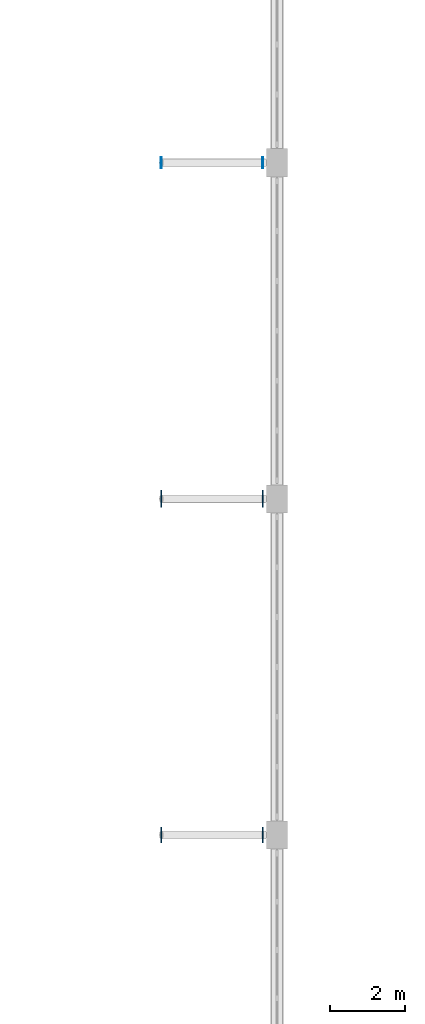
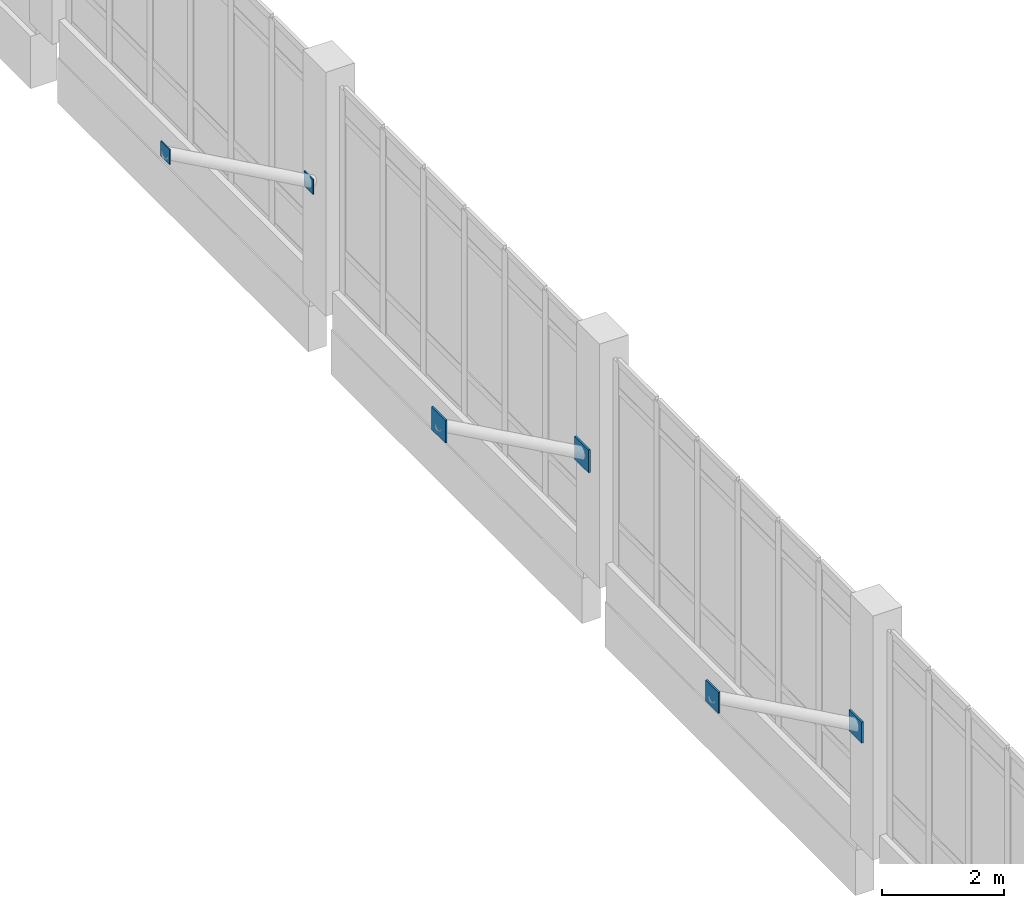
# One storey, part 73 of 110: 6 plates.
"""IFC4 building model written with IfcOpenShell, lengths in metres."""

import ifcopenshell
import ifcopenshell.guid

model = None  # the IFC model being written
_history = None  # IfcOwnerHistory: only IFC2X3 demands one
_inside = {}  # id of a spatial element -> (the spatial element, [elements in it])
_under = {}  # id of a project, library or spatial element -> (it, [spatial elements below it])
_declared = {}  # id of a project -> (the project, [libraries it declares])
_typed = {}  # id of a type object -> (the type object, [elements of that type])
_made_of = {}  # id of a material, layer set ... -> (it, [elements and type objects made of it])


def new_model(schema):
    """Start an empty IFC model of exactly this schema.

    Asked for "IFC4X3", IfcOpenShell would pick the latest addendum, in which some entities
    have other attributes; the version numbers below select the first issue.
    IFC2X3 requires an IfcOwnerHistory on every rooted entity: one is made here for all.
    """
    global model, _history
    if schema == "IFC4X3":
        model = ifcopenshell.file(schema_version=(4, 3, 0, 0))
    else:
        model = ifcopenshell.file(schema=schema)
    _inside.clear()
    _under.clear()
    _declared.clear()
    _typed.clear()
    _made_of.clear()
    _history = None
    if model.schema == "IFC2X3":
        org = make("IfcOrganization", Name="unknown")
        user = make(
            "IfcPersonAndOrganization",
            ThePerson=make("IfcPerson", FamilyName="unknown"),
            TheOrganization=org,
        )
        app = make(
            "IfcApplication",
            ApplicationDeveloper=org,
            Version="unknown",
            ApplicationFullName="unknown",
            ApplicationIdentifier="unknown",
        )
        _history = make(
            "IfcOwnerHistory",
            OwningUser=user,
            OwningApplication=app,
            ChangeAction="ADDED",
            CreationDate=0,
        )
    return model


def make(cls, **values):
    """One entity of the class cls with the attributes given. An attribute that is None is left unset."""
    return model.create_entity(
        cls, **{name: value for name, value in values.items() if value is not None}
    )


def rooted(cls, **values):
    """An entity with a GlobalId (a new one), such as an element, a storey or a relation."""
    return make(cls, GlobalId=ifcopenshell.guid.new(), OwnerHistory=_history, **values)


def si_unit(unit_type, name, prefix=None):
    """IfcSIUnit, for example si_unit("LENGTHUNIT", "METRE", prefix="MILLI")."""
    return make("IfcSIUnit", UnitType=unit_type, Prefix=prefix, Name=name)


def assignment(units):
    """IfcUnitAssignment: the units of a project."""
    return None if units is None else make("IfcUnitAssignment", Units=units)


def point(xyz):
    """IfcCartesianPoint."""
    return None if xyz is None else make("IfcCartesianPoint", Coordinates=xyz)


def direction(xyz):
    """IfcDirection."""
    return None if xyz is None else make("IfcDirection", DirectionRatios=xyz)


def frame(location, z_axis=None, x_axis=None):
    """IfcAxis2Placement3D, a coordinate frame: its origin and axes. An axis left out is left unset."""
    return make(
        "IfcAxis2Placement3D",
        Location=point(location),
        Axis=direction(z_axis),
        RefDirection=direction(x_axis),
    )


def frame_2d(location, x_axis=None):
    """IfcAxis2Placement2D, a coordinate frame in the plane: its origin and x axis."""
    return make(
        "IfcAxis2Placement2D", Location=point(location), RefDirection=direction(x_axis)
    )


def origin():
    """The frame at (0, 0, 0) with its axes left unset."""
    return frame((0.0, 0.0, 0.0))


def origin_2d():
    """The frame at (0, 0) in the plane with its x axis left unset."""
    return frame_2d((0.0, 0.0))


def place(relative_to, where):
    """IfcLocalPlacement: puts the frame where relative to a parent placement (None: the world)."""
    return make(
        "IfcLocalPlacement", PlacementRelTo=relative_to, RelativePlacement=where
    )


def context(
    kind, dimensions, precision=None, world=None, true_north=None, identifier=None
):
    """IfcGeometricRepresentationContext, for example the 3D "Model" context."""
    return make(
        "IfcGeometricRepresentationContext",
        ContextIdentifier=identifier,
        ContextType=kind,
        CoordinateSpaceDimension=dimensions,
        Precision=precision,
        WorldCoordinateSystem=world,
        TrueNorth=true_north,
    )


def subcontext(parent, identifier, kind, view, scale=None):
    """IfcGeometricRepresentationSubContext, for example "Body" below "Model"."""
    return make(
        "IfcGeometricRepresentationSubContext",
        ContextIdentifier=identifier,
        ContextType=kind,
        ParentContext=parent,
        TargetScale=scale,
        TargetView=view,
    )


def project(units=None, contexts=None):
    """IfcProject with its units and contexts."""
    return rooted(
        "IfcProject",
        Name="project",
        RepresentationContexts=contexts,
        UnitsInContext=assignment(units),
    )


def spatial(cls, under=None, at=None, **own):
    """A site, building, storey or space (cls), placed at a placement, below another one or the project."""
    s = rooted(cls, ObjectPlacement=at, **own)
    if under is not None:
        _under.setdefault(under.id(), (under, []))[1].append(s)
    return s


def profile(cls, at=None, kind="AREA", **sizes):
    """A parametric profile (cls). Its sizes go by their IFC names, for example OverallWidth=200.0."""
    return make(cls, ProfileType=kind, Position=at, **sizes)


def rectangle(**sizes):
    """IfcRectangleProfileDef."""
    return profile("IfcRectangleProfileDef", **sizes)


def extrude(swept, where, along, depth):
    """IfcExtrudedAreaSolid: the profile swept, set in the frame where, extruded along a direction by depth."""
    return make(
        "IfcExtrudedAreaSolid",
        SweptArea=swept,
        Position=where,
        ExtrudedDirection=direction(along),
        Depth=depth,
    )


def shape(context_of_items, identifier, shape_type, items):
    """IfcShapeRepresentation: the items that make up one representation, for example the "Body"."""
    return make(
        "IfcShapeRepresentation",
        ContextOfItems=context_of_items,
        RepresentationIdentifier=identifier,
        RepresentationType=shape_type,
        Items=items,
    )


def material(Name=None, Category=None):
    """IfcMaterial."""
    return make("IfcMaterial", Name=Name, Category=Category)


def layer(
    of_material, thickness, ventilated=None, Name=None, Category=None, Priority=None
):
    """IfcMaterialLayer: one layer of a wall or slab, of a material (None: an air gap)."""
    return make(
        "IfcMaterialLayer",
        Material=of_material,
        LayerThickness=thickness,
        IsVentilated=ventilated,
        Name=Name,
        Category=Category,
        Priority=Priority,
    )


def layer_set(layers, Name=None):
    """IfcMaterialLayerSet."""
    return make("IfcMaterialLayerSet", MaterialLayers=layers, LayerSetName=Name)


def made_of(thing, what):
    """Note that an element or type object is made of a material, layer set ...; save() writes the relation."""
    if what is not None:
        _made_of.setdefault(what.id(), (what, []))[1].append(thing)
    return thing


def type_object(cls, material=None, **own):
    """A type object (cls), such as IfcWallType, which elements share."""
    return made_of(rooted(cls, **own), material)


def element(
    cls,
    number,
    at=None,
    inside=None,
    cuts=None,
    type_object=None,
    material=None,
    context=None,
    identifier="Body",
    shape_type=None,
    held_by="IfcProductDefinitionShape",
    body=None,
    shapes=None,
    **own,
):
    """One element of the class cls, such as IfcWall. Its Tag is "e" and its number.

    at: its placement. inside: the storey or other place that contains it. cuts: it is an
    opening in that element (IfcRelVoidsElement). A single representation is given by context,
    identifier, shape_type and body (its items); several are given by shapes. held_by: the class
    of the entity that holds the representations. save() writes the other relations.
    """
    e = rooted(cls, Tag="e%d" % number, ObjectPlacement=at, **own)
    if body is not None:
        shapes = [shape(context, identifier, shape_type, body)]
    if shapes is not None:
        e.Representation = make(held_by, Representations=shapes)
    if inside is not None:
        _inside.setdefault(inside.id(), (inside, []))[1].append(e)
    if cuts is not None:
        rooted(
            "IfcRelVoidsElement", RelatingBuildingElement=cuts, RelatedOpeningElement=e
        )
    if type_object is not None:
        _typed.setdefault(type_object.id(), (type_object, []))[1].append(e)
    return made_of(e, material)


def aggregate(whole, parts):
    """IfcRelAggregates: a whole, such as a stair, and the parts it consists of."""
    return rooted("IfcRelAggregates", RelatingObject=whole, RelatedObjects=parts)


def save(model, path):
    """Write the relations noted so far, then the file.

    IfcRelAggregates (storeys below a building ...), IfcRelContainedInSpatialStructure (elements
    in a storey), IfcRelDefinesByType, IfcRelAssociatesMaterial and IfcRelDeclares: one each for
    every whole, place, type object, material and project.
    """
    for whole, parts in _under.values():
        aggregate(whole, parts)
    for where, things in _inside.values():
        rooted(
            "IfcRelContainedInSpatialStructure",
            RelatedElements=things,
            RelatingStructure=where,
        )
    for kind, things in _typed.values():
        rooted("IfcRelDefinesByType", RelatedObjects=things, RelatingType=kind)
    for what, things in _made_of.values():
        rooted("IfcRelAssociatesMaterial", RelatedObjects=things, RelatingMaterial=what)
    for by, libraries in _declared.values():
        rooted("IfcRelDeclares", RelatingContext=by, RelatedDefinitions=libraries)
    model.write(path)


model = new_model("IFC4")

# Units and contexts
model_context = context("Model", 3, precision=1e-05, world=origin(), true_north=direction((0.0, 1.0)))
body_context = subcontext(model_context, "Body", "Model", "MODEL_VIEW")
ifc_project = project(units=[si_unit("LENGTHUNIT", "METRE"), si_unit("AREAUNIT", "SQUARE_METRE"), si_unit("VOLUMEUNIT", "CUBIC_METRE"), si_unit("PLANEANGLEUNIT", "RADIAN"), si_unit("MASSUNIT", "GRAM", prefix="KILO")], contexts=[model_context])

# Site, building, storey
site_placement = place(None, origin())
site = spatial("IfcSite", under=ifc_project, at=site_placement, CompositionType="ELEMENT")
building_placement = place(site_placement, origin())
building = spatial("IfcBuilding", under=site, at=building_placement, Name="Zacnel Wholesale Market", CompositionType="ELEMENT")
storey_placement = place(building_placement, frame((0.0, 0.0, 6.300048828125)))
storey = spatial("IfcBuildingStorey", under=building, at=storey_placement, Name="L02", CompositionType="ELEMENT", Elevation=6.300048828125)

# Plates
ifc_material_1 = material(Name="Steel S355", Category="steel")
ifc_layer_1 = layer(ifc_material_1, 0.02001953125)
ifc_layer_set_1 = layer_set([ifc_layer_1], Name="Steel S355")
plate_type_1 = type_object("IfcPlateType", Name="PLT-GUS-300X20", PredefinedType="SHEET", material=ifc_layer_set_1)
for number, where, z_axis, x_axis, name in (
    (1, (143.919921875, 75.0, 2.35009765625), (0.0, 0.0, 1.0), (0.0, 1.0, 0.0), "Eave strut gusset plate 010"),
    (2, (141.199951171875, 75.0, 3.89990234375), (0.0, 0.0, 1.0), (0.0, 1.0, 0.0), "Eave strut tip gusset plate 014"),
):
    element("IfcPlate", number, at=place(storey_placement, frame(where, z_axis=z_axis, x_axis=x_axis)), inside=storey, type_object=plate_type_1, Name=name, PredefinedType="SHEET", context=body_context, shape_type="SweptSolid", body=[
        extrude(rectangle(XDim=0.300048828125, YDim=0.02001953125, at=origin_2d()), origin(), (0.0, 0.0, 1.0), 0.300048828125),
    ])
ifc_material_2 = material(Name="Steel S355", Category="steel")
ifc_layer_2 = layer(ifc_material_2, 0.031982421875)
ifc_layer_set_2 = layer_set([ifc_layer_2], Name="Steel S355")
plate_type_2 = type_object("IfcPlateType", Name="PLT-GUS-420X32", PredefinedType="SHEET", material=ifc_layer_set_2)
for number, where, z_axis, x_axis, name in (
    (3, (143.919921875, 57.0, 2.2900390625), (0.0, 0.0, 1.0), (0.0, 1.0, 0.0), "Eave strut gusset plate 008"),
    (4, (141.199951171875, 57.0, 3.840087890625), (0.0, 0.0, 1.0), (0.0, 1.0, 0.0), "Eave strut tip gusset plate 011"),
):
    element("IfcPlate", number, at=place(storey_placement, frame(where, z_axis=z_axis, x_axis=x_axis)), inside=storey, type_object=plate_type_2, Name=name, PredefinedType="SHEET", context=body_context, shape_type="SweptSolid", body=[
        extrude(rectangle(XDim=0.419921875, YDim=0.031982421875, at=origin_2d()), origin(), (0.0, 0.0, 1.0), 0.419921875),
    ])
ifc_material_3 = material(Name="Steel S355", Category="steel")
ifc_layer_3 = layer(ifc_material_3, 0.035888671875)
ifc_layer_set_3 = layer_set([ifc_layer_3], Name="Steel S355")
plate_type_3 = type_object("IfcPlateType", Name="PLT-GUS-460X36", PredefinedType="SHEET", material=ifc_layer_set_3)
for number, where, z_axis, x_axis, name in (
    (5, (143.919921875, 66.0, 2.27001953125), (0.0, 0.0, 1.0), (0.0, 1.0, 0.0), "Eave strut gusset plate 009"),
    (6, (141.199951171875, 66.0, 3.820068359375), (0.0, 0.0, 1.0), (0.0, 1.0, 0.0), "Eave strut tip gusset plate 013"),
):
    element("IfcPlate", number, at=place(storey_placement, frame(where, z_axis=z_axis, x_axis=x_axis)), inside=storey, type_object=plate_type_3, Name=name, PredefinedType="SHEET", context=body_context, shape_type="SweptSolid", body=[
        extrude(rectangle(XDim=0.4599609375, YDim=0.035888671875, at=origin_2d()), origin(), (0.0, 0.0, 1.0), 0.4599609375),
    ])

save(model, "model.ifc")
